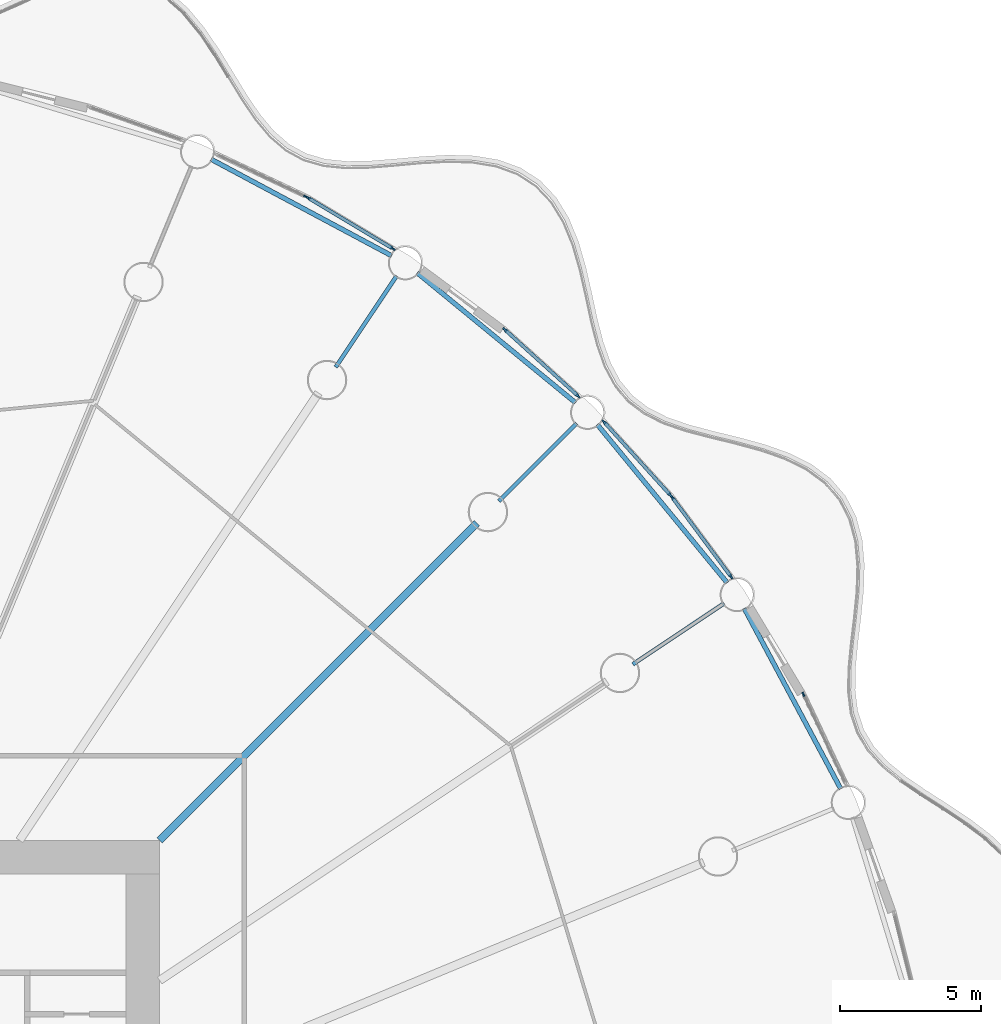
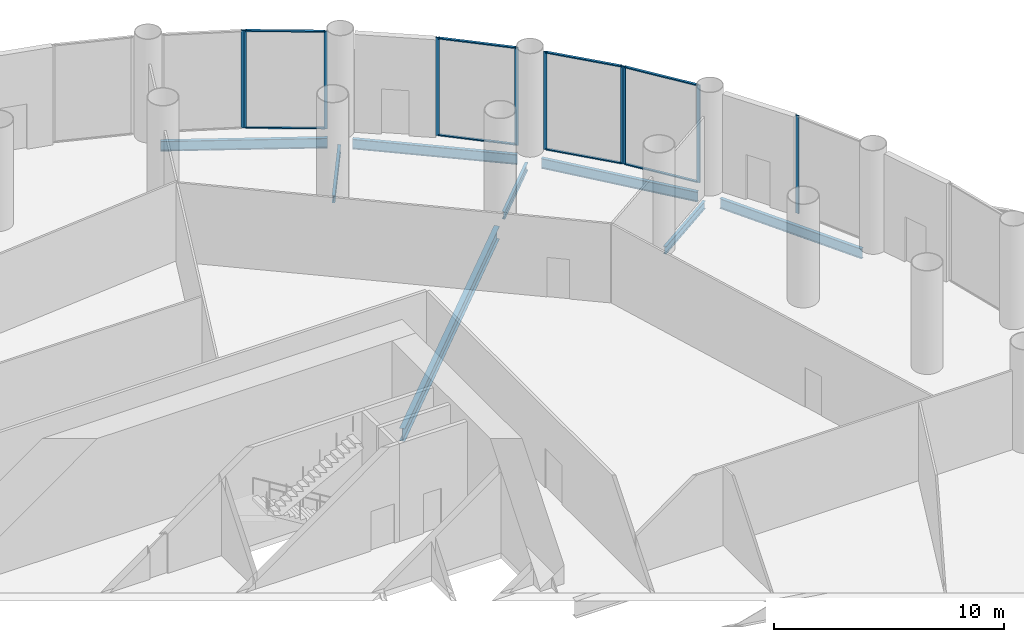
# One storey, part 19 of 37: 18 members, 8 beams, 6 elements without a shape of their own.
"""IFC4 building model written with IfcOpenShell, lengths in metres."""

from ifc_helpers import new_model, si_unit, direction, frame, origin, origin_2d, place, context, subcontext, project, spatial, rectangle, i_section, extrude, material, material_profile, profile_set, type_object, element, aggregate, save


model = new_model("IFC4")

# Units and contexts
model_context = context("Model", 3, precision=1e-05, world=origin(), true_north=direction((0.0, 1.0)))
body_context = subcontext(model_context, "Body", "Model", "MODEL_VIEW")
ifc_project = project(units=[si_unit("LENGTHUNIT", "METRE"), si_unit("AREAUNIT", "SQUARE_METRE"), si_unit("VOLUMEUNIT", "CUBIC_METRE"), si_unit("PLANEANGLEUNIT", "RADIAN"), si_unit("MASSUNIT", "GRAM", prefix="KILO")], contexts=[model_context])

# Site, building, storey
site_placement = place(None, origin())
site = spatial("IfcSite", under=ifc_project, at=site_placement, CompositionType="ELEMENT")
building_placement = place(site_placement, origin())
building = spatial("IfcBuilding", under=site, at=building_placement, Name="Corvane Civic Tower", CompositionType="ELEMENT")
storey_placement = place(building_placement, frame((0.0, 0.0, 11.5)))
storey = spatial("IfcBuildingStorey", under=building, at=storey_placement, Name="L02", CompositionType="ELEMENT", Elevation=11.5)

# Beams
ifc_material_1 = material(Name="Steel ASTM A992 Gr 50", Category="steel")
ifc_material_profile_1 = material_profile(ifc_material_1, i_section(OverallWidth=0.165771484375, OverallDepth=0.5283203125, WebThickness=0.009765625, FlangeThickness=0.013671875, at=origin_2d()), Name="W21X50")
ifc_profile_set_1 = profile_set([ifc_material_profile_1], Name="Steel ASTM A992 Gr 50")
beam_type_1 = type_object("IfcBeamType", Name="EDGE BEAM W21X50", PredefinedType="BEAM", material=ifc_profile_set_1)
for number, where, z_axis, x_axis, name in (
    (1, (16.82568359375, 39.1904296875, -0.564208984375), (0.881912894916, -0.471412394598, 0.0), (0.471412394598, 0.881912894916, 0.0), "BM-L02-E03"),
    (2, (24.14794921875, 35.15478515625, -0.564208984375), (0.773007924807, -0.634396365205, 0.0), (0.634396365205, 0.773007924807, 0.0), "BM-L02-E04"),
    (3, (30.542236328125, 29.768310546875, -0.564208984375), (0.634396365205, -0.773007924807, 0.0), (0.773007924807, 0.634396365205, 0.0), "BM-L02-E05"),
    (4, (35.762939453125, 23.23779296875, -0.564208984375), (0.471412394598, -0.881912894916, 0.0), (0.881912894916, 0.471412394598, 0.0), "BM-L02-E06"),
):
    element("IfcBeam", number, at=place(storey_placement, frame(where, z_axis=z_axis, x_axis=x_axis)), inside=storey, type_object=beam_type_1, Name=name, PredefinedType="BEAM", context=body_context, shape_type="SweptSolid", body=[
        extrude(i_section(OverallWidth=0.165771484375, OverallDepth=0.5283203125, WebThickness=0.009765625, FlangeThickness=0.013671875, at=origin_2d()), origin(), (0.0, 0.0, 1.0), 7.270751953125),
    ])
ifc_material_2 = material(Name="Steel ASTM A992 Gr 50", Category="steel")
ifc_material_profile_2 = material_profile(ifc_material_2, i_section(OverallWidth=0.140380859375, OverallDepth=0.40380859375, WebThickness=0.007080078125, FlangeThickness=0.01123046875, at=origin_2d()), Name="W16X31")
ifc_profile_set_2 = profile_set([ifc_material_profile_2], Name="Steel ASTM A992 Gr 50")
beam_type_2 = type_object("IfcBeamType", Name="FLOOR GIRDER W16X31", PredefinedType="BEAM", material=ifc_profile_set_2)
for number, where, z_axis, x_axis, name in (
    (5, (21.25048828125, 31.8037109375, -0.501953125), (0.555581110199, 0.831462344301, 0.0), (-0.831462344301, 0.555581110199, 0.0), "BM-L02-G04b"),
    (6, (27.046875, 27.046875, -0.501953125), (0.707106781187, 0.707106781187, 0.0), (-0.707106781187, 0.707106781187, 0.0), "BM-L02-G05b"),
    (7, (31.8037109375, 21.25048828125, -0.501953125), (0.831462344301, 0.555581110199, 0.0), (-0.555581110199, 0.831462344301, 0.0), "BM-L02-G06b"),
):
    element("IfcBeam", number, at=place(storey_placement, frame(where, z_axis=z_axis, x_axis=x_axis)), inside=storey, type_object=beam_type_2, Name=name, PredefinedType="BEAM", context=body_context, shape_type="SweptSolid", body=[
        extrude(i_section(OverallWidth=0.140380859375, OverallDepth=0.40380859375, WebThickness=0.007080078125, FlangeThickness=0.01123046875, at=origin_2d()), origin(), (0.0, 0.0, 1.0), 3.89990234375),
    ])
ifc_material_3 = material(Name="Steel ASTM A992 Gr 50", Category="steel")
ifc_material_profile_3 = material_profile(ifc_material_3, i_section(OverallWidth=0.25390625, OverallDepth=0.67822265625, WebThickness=0.01171875, FlangeThickness=0.016357421875, at=origin_2d()), Name="W27X84")
ifc_profile_set_3 = profile_set([ifc_material_profile_3], Name="Steel ASTM A992 Gr 50")
beam_type_3 = type_object("IfcBeamType", Name="FLOOR GIRDER W27X84", PredefinedType="BEAM", material=ifc_profile_set_3)
beam_placement = place(storey_placement, frame((15.0, 15.0, -0.63916015625), z_axis=(0.707106781187, 0.707106781187, 0.0), x_axis=(-0.707106781187, 0.707106781187, 0.0)))
element("IfcBeam", 8, at=beam_placement, inside=storey, type_object=beam_type_3, Name="BM-L02-G05", PredefinedType="BEAM", context=body_context, shape_type="SweptSolid", body=[
    extrude(i_section(OverallWidth=0.25390625, OverallDepth=0.67822265625, WebThickness=0.01171875, FlangeThickness=0.016357421875, at=origin_2d()), origin(), (0.0, 0.0, 1.0), 15.936767578125),
])

# Curtain wall, member
ifc_material_4 = material(Name="Aluminium and glass", Category="aluminium")
curtain_wall_type = type_object("IfcCurtainWallType", Name="PODIUM-CW-P-RUN", PredefinedType="NOTDEFINED", material=ifc_material_4)
curtain_wall_1_placement = place(storey_placement, origin())
curtain_wall_1 = element("IfcCurtainWall", 9, at=curtain_wall_1_placement, inside=storey, type_object=curtain_wall_type, Name="PODI run L02-drum-03A", PredefinedType="NOTDEFINED")
ifc_material_5 = material(Name="Anodised aluminium bronze", Category="aluminium")
ifc_material_profile_4 = material_profile(ifc_material_5, rectangle(XDim=0.06005859375, YDim=0.159912109375, at=origin_2d()), Name="AL 60x160")
ifc_profile_set_4 = profile_set([ifc_material_profile_4], Name="Anodised aluminium bronze")
member_type_1 = type_object("IfcMemberType", Name="PODIUM-CWP-MULLION-60x160", PredefinedType="MULLION", material=ifc_profile_set_4)
member_1_placement = place(storey_placement, frame((20.186279296875, 37.862548828125, 0.0), z_axis=(0.0, 0.0, 1.0), x_axis=(0.42755312852, 0.903990222454, 0.0)))
member_1 = element("IfcMember", 10, at=member_1_placement, type_object=member_type_1, Name="CW-P mullion 2", PredefinedType="MULLION", context=body_context, shape_type="SweptSolid", body=[
    extrude(rectangle(XDim=0.06005859375, YDim=0.159912109375, at=origin_2d()), origin(), (0.0, 0.0, 1.0), 5.199951171875),
])
aggregate(curtain_wall_1, [member_1])

# Curtain wall, members
curtain_wall_2_placement = place(storey_placement, origin())
curtain_wall_2 = element("IfcCurtainWall", 11, at=curtain_wall_2_placement, inside=storey, type_object=curtain_wall_type, Name="PODI run L02-drum-03B", PredefinedType="NOTDEFINED")
member_2_placement = place(storey_placement, frame((20.2666015625, 37.819580078125, 0.0), z_axis=(0.0, 0.0, 1.0), x_axis=(0.514117759857, 0.857719609779, 0.0)))
member_2 = element("IfcMember", 12, at=member_2_placement, type_object=member_type_1, Name="CW-P mullion 1", PredefinedType="MULLION", context=body_context, shape_type="SweptSolid", body=[
    extrude(rectangle(XDim=0.06005859375, YDim=0.159912109375, at=origin_2d()), origin(), (0.0, 0.0, 1.0), 5.199951171875),
])
member_3_placement = place(storey_placement, frame((23.28564453125, 36.010009765625, 0.0), z_axis=(0.0, 0.0, 1.0), x_axis=(0.514117759857, 0.857719609779, 0.0)))
member_3 = element("IfcMember", 13, at=member_3_placement, type_object=member_type_1, Name="CW-P mullion 2", PredefinedType="MULLION", context=body_context, shape_type="SweptSolid", body=[
    extrude(rectangle(XDim=0.06005859375, YDim=0.159912109375, at=origin_2d()), origin(), (0.0, 0.0, 1.0), 5.199951171875),
])

curtain_wall_3_placement = place(storey_placement, origin())
curtain_wall_3 = element("IfcCurtainWall", 14, at=curtain_wall_3_placement, inside=storey, type_object=curtain_wall_type, Name="PODI run L02-drum-04B", PredefinedType="NOTDEFINED")
member_4_placement = place(storey_placement, frame((27.25537109375, 33.13916015625, 0.0), z_axis=(0.0, 0.0, 1.0), x_axis=(0.671576457952, 0.740935261089, 0.0)))
member_4 = element("IfcMember", 15, at=member_4_placement, type_object=member_type_1, Name="CW-P mullion 1", PredefinedType="MULLION", context=body_context, shape_type="SweptSolid", body=[
    extrude(rectangle(XDim=0.06005859375, YDim=0.159912109375, at=origin_2d()), origin(), (0.0, 0.0, 1.0), 5.199951171875),
])
member_5_placement = place(storey_placement, frame((29.863525390625, 30.775390625, 0.0), z_axis=(0.0, 0.0, 1.0), x_axis=(0.671576457952, 0.740935261089, 0.0)))
member_5 = element("IfcMember", 16, at=member_5_placement, type_object=member_type_1, Name="CW-P mullion 2", PredefinedType="MULLION", context=body_context, shape_type="SweptSolid", body=[
    extrude(rectangle(XDim=0.06005859375, YDim=0.159912109375, at=origin_2d()), origin(), (0.0, 0.0, 1.0), 5.199951171875),
])

curtain_wall_4_placement = place(storey_placement, origin())
curtain_wall_4 = element("IfcCurtainWall", 17, at=curtain_wall_4_placement, inside=storey, type_object=curtain_wall_type, Name="PODI run L02-drum-05A", PredefinedType="NOTDEFINED")
member_6_placement = place(storey_placement, frame((30.775390625, 29.863525390625, 0.0), z_axis=(0.0, 0.0, 1.0), x_axis=(0.740935261089, 0.671576457952, 0.0)))
member_6 = element("IfcMember", 18, at=member_6_placement, type_object=member_type_1, Name="CW-P mullion 1", PredefinedType="MULLION", context=body_context, shape_type="SweptSolid", body=[
    extrude(rectangle(XDim=0.06005859375, YDim=0.159912109375, at=origin_2d()), origin(), (0.0, 0.0, 1.0), 5.199951171875),
])
member_7_placement = place(storey_placement, frame((33.13916015625, 27.25537109375, 0.0), z_axis=(0.0, 0.0, 1.0), x_axis=(0.740935261089, 0.671576457952, 0.0)))
member_7 = element("IfcMember", 19, at=member_7_placement, type_object=member_type_1, Name="CW-P mullion 2", PredefinedType="MULLION", context=body_context, shape_type="SweptSolid", body=[
    extrude(rectangle(XDim=0.06005859375, YDim=0.159912109375, at=origin_2d()), origin(), (0.0, 0.0, 1.0), 5.199951171875),
])

curtain_wall_5_placement = place(storey_placement, origin())
curtain_wall_5 = element("IfcCurtainWall", 20, at=curtain_wall_5_placement, inside=storey, type_object=curtain_wall_type, Name="PODI run L02-drum-05B", PredefinedType="NOTDEFINED")
member_8_placement = place(storey_placement, frame((33.197021484375, 27.18505859375, 0.0), z_axis=(0.0, 0.0, 1.0), x_axis=(0.803203229747, 0.595705104665, 0.0)))
member_8 = element("IfcMember", 21, at=member_8_placement, type_object=member_type_1, Name="CW-P mullion 1", PredefinedType="MULLION", context=body_context, shape_type="SweptSolid", body=[
    extrude(rectangle(XDim=0.06005859375, YDim=0.159912109375, at=origin_2d()), origin(), (0.0, 0.0, 1.0), 5.199951171875),
])
member_9_placement = place(storey_placement, frame((35.293701171875, 24.35791015625, 0.0), z_axis=(0.0, 0.0, 1.0), x_axis=(0.803203229747, 0.595705104665, 0.0)))
member_9 = element("IfcMember", 22, at=member_9_placement, type_object=member_type_1, Name="CW-P mullion 2", PredefinedType="MULLION", context=body_context, shape_type="SweptSolid", body=[
    extrude(rectangle(XDim=0.06005859375, YDim=0.159912109375, at=origin_2d()), origin(), (0.0, 0.0, 1.0), 5.199951171875),
])

# Curtain wall, member
curtain_wall_6_placement = place(storey_placement, origin())
curtain_wall_6 = element("IfcCurtainWall", 23, at=curtain_wall_6_placement, inside=storey, type_object=curtain_wall_type, Name="PODI run L02-drum-06B", PredefinedType="NOTDEFINED")
member_10_placement = place(storey_placement, frame((37.862548828125, 20.186279296875, 0.0), z_axis=(0.0, 0.0, 1.0), x_axis=(0.903990222454, 0.42755312852, 0.0)))
member_10 = element("IfcMember", 24, at=member_10_placement, type_object=member_type_1, Name="CW-P mullion 1", PredefinedType="MULLION", context=body_context, shape_type="SweptSolid", body=[
    extrude(rectangle(XDim=0.06005859375, YDim=0.159912109375, at=origin_2d()), origin(), (0.0, 0.0, 1.0), 5.199951171875),
])
aggregate(curtain_wall_6, [member_10])

# Member
ifc_material_6 = material(Name="Anodised aluminium bronze", Category="aluminium")
ifc_material_profile_5 = material_profile(ifc_material_6, rectangle(XDim=0.1201171875, YDim=0.06005859375, at=origin_2d()), Name="AL 120x60")
ifc_profile_set_5 = profile_set([ifc_material_profile_5], Name="Anodised aluminium bronze")
member_type_2 = type_object("IfcMemberType", Name="PODIUM-CWP-TRANSOM-60x120", PredefinedType="USERDEFINED", material=ifc_profile_set_5)
member_11_placement = place(storey_placement, frame((20.29248046875, 37.80419921875, 0.030029296875), z_axis=(0.857723234181, -0.514111713099, 0.0), x_axis=(0.514111713099, 0.857723234181, 0.0)))
member_11 = element("IfcMember", 25, at=member_11_placement, type_object=member_type_2, Name="CW-P transom 1.1", ObjectType="TRANSOM", PredefinedType="USERDEFINED", context=body_context, shape_type="SweptSolid", body=[
    extrude(rectangle(XDim=0.1201171875, YDim=0.06005859375, at=origin_2d()), origin(), (0.0, 0.0, 1.0), 3.45947265625),
])

member_12_placement = place(storey_placement, frame((20.29248046875, 37.80419921875, 5.169921875), z_axis=(0.857723234181, -0.514111713099, 0.0), x_axis=(0.514111713099, 0.857723234181, 0.0)))
member_12 = element("IfcMember", 26, at=member_12_placement, type_object=member_type_2, Name="CW-P transom 1.2", ObjectType="TRANSOM", PredefinedType="USERDEFINED", context=body_context, shape_type="SweptSolid", body=[
    extrude(rectangle(XDim=0.1201171875, YDim=0.06005859375, at=origin_2d()), origin(), (0.0, 0.0, 1.0), 3.45947265625),
])

aggregate(curtain_wall_2, [member_2, member_3, member_11, member_12])

member_13_placement = place(storey_placement, frame((27.277587890625, 33.119140625, 0.030029296875), z_axis=(0.740935382865, -0.671576323599, 0.0), x_axis=(0.671576323599, 0.740935382865, 0.0)))
member_13 = element("IfcMember", 27, at=member_13_placement, type_object=member_type_2, Name="CW-P transom 1.1", ObjectType="TRANSOM", PredefinedType="USERDEFINED", context=body_context, shape_type="SweptSolid", body=[
    extrude(rectangle(XDim=0.1201171875, YDim=0.06005859375, at=origin_2d()), origin(), (0.0, 0.0, 1.0), 3.460205078125),
])

member_14_placement = place(storey_placement, frame((27.277587890625, 33.119140625, 5.169921875), z_axis=(0.740935382865, -0.671576323599, 0.0), x_axis=(0.671576323599, 0.740935382865, 0.0)))
member_14 = element("IfcMember", 28, at=member_14_placement, type_object=member_type_2, Name="CW-P transom 1.2", ObjectType="TRANSOM", PredefinedType="USERDEFINED", context=body_context, shape_type="SweptSolid", body=[
    extrude(rectangle(XDim=0.1201171875, YDim=0.06005859375, at=origin_2d()), origin(), (0.0, 0.0, 1.0), 3.460205078125),
])

aggregate(curtain_wall_3, [member_4, member_5, member_13, member_14])

member_15_placement = place(storey_placement, frame((30.79541015625, 29.84130859375, 0.030029296875), z_axis=(0.671576323599, -0.740935382865, 0.0), x_axis=(0.740935382865, 0.671576323599, 0.0)))
member_15 = element("IfcMember", 29, at=member_15_placement, type_object=member_type_2, Name="CW-P transom 1.1", ObjectType="TRANSOM", PredefinedType="USERDEFINED", context=body_context, shape_type="SweptSolid", body=[
    extrude(rectangle(XDim=0.1201171875, YDim=0.06005859375, at=origin_2d()), origin(), (0.0, 0.0, 1.0), 3.460205078125),
])

member_16_placement = place(storey_placement, frame((30.79541015625, 29.84130859375, 5.169921875), z_axis=(0.671576323599, -0.740935382865, 0.0), x_axis=(0.740935382865, 0.671576323599, 0.0)))
member_16 = element("IfcMember", 30, at=member_16_placement, type_object=member_type_2, Name="CW-P transom 1.2", ObjectType="TRANSOM", PredefinedType="USERDEFINED", context=body_context, shape_type="SweptSolid", body=[
    extrude(rectangle(XDim=0.1201171875, YDim=0.06005859375, at=origin_2d()), origin(), (0.0, 0.0, 1.0), 3.460205078125),
])

aggregate(curtain_wall_4, [member_6, member_7, member_15, member_16])

member_17_placement = place(storey_placement, frame((33.21484375, 27.160888671875, 0.030029296875), z_axis=(0.595723591285, -0.803189518598, 0.0), x_axis=(0.803189518598, 0.595723591285, 0.0)))
member_17 = element("IfcMember", 31, at=member_17_placement, type_object=member_type_2, Name="CW-P transom 1.1", ObjectType="TRANSOM", PredefinedType="USERDEFINED", context=body_context, shape_type="SweptSolid", body=[
    extrude(rectangle(XDim=0.1201171875, YDim=0.06005859375, at=origin_2d()), origin(), (0.0, 0.0, 1.0), 3.459716796875),
])

member_18_placement = place(storey_placement, frame((33.21484375, 27.160888671875, 5.169921875), z_axis=(0.595723591285, -0.803189518598, 0.0), x_axis=(0.803189518598, 0.595723591285, 0.0)))
member_18 = element("IfcMember", 32, at=member_18_placement, type_object=member_type_2, Name="CW-P transom 1.2", ObjectType="TRANSOM", PredefinedType="USERDEFINED", context=body_context, shape_type="SweptSolid", body=[
    extrude(rectangle(XDim=0.1201171875, YDim=0.06005859375, at=origin_2d()), origin(), (0.0, 0.0, 1.0), 3.459716796875),
])

aggregate(curtain_wall_5, [member_8, member_9, member_17, member_18])

save(model, "model.ifc")
